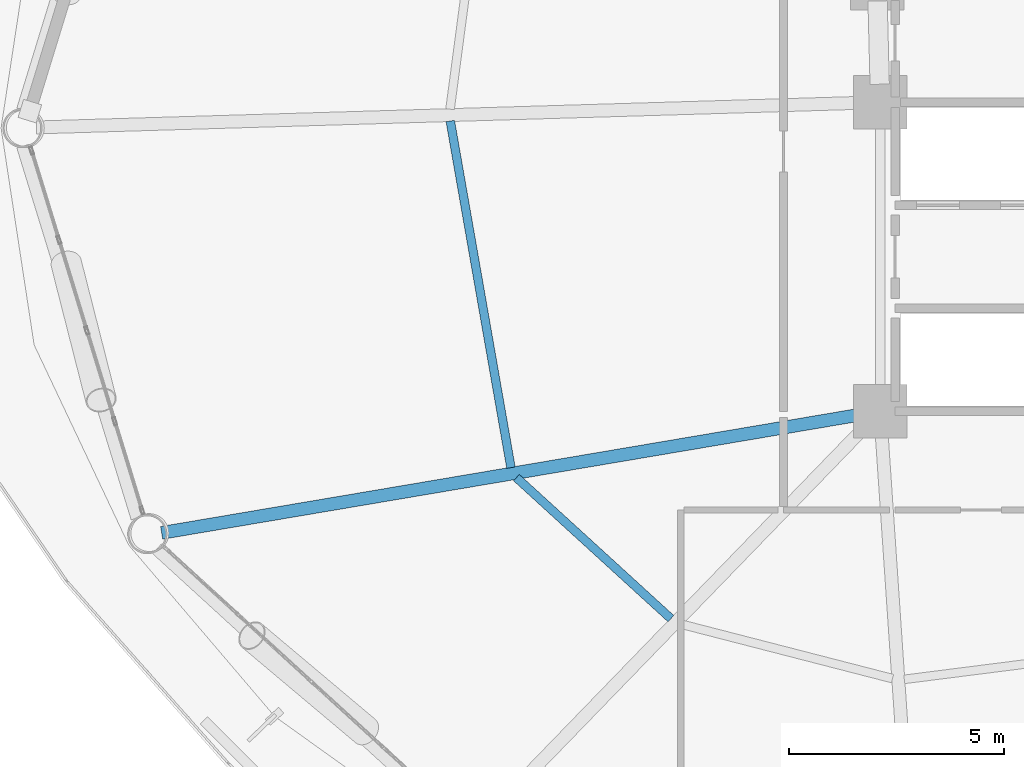
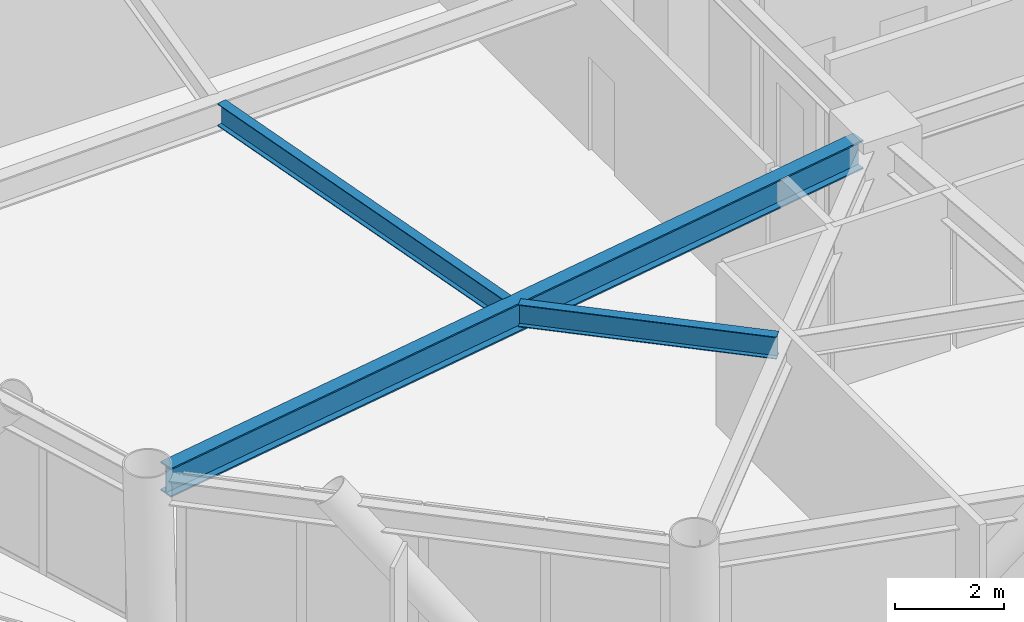
# One storey, part 6 of 24: 3 beams.
"""IFC4 building model written with IfcOpenShell, lengths in metres."""

from ifc_helpers import new_model, si_unit, direction, frame, origin, origin_2d, place, context, subcontext, project, spatial, i_section, extrude, material, material_profile, profile_set, type_object, element, save


model = new_model("IFC4")

# Units and contexts
model_context = context("Model", 3, precision=1e-05, world=origin(), true_north=direction((0.0, 1.0)))
body_context = subcontext(model_context, "Body", "Model", "MODEL_VIEW")
ifc_project = project(units=[si_unit("LENGTHUNIT", "METRE"), si_unit("AREAUNIT", "SQUARE_METRE"), si_unit("VOLUMEUNIT", "CUBIC_METRE"), si_unit("PLANEANGLEUNIT", "RADIAN"), si_unit("MASSUNIT", "GRAM", prefix="KILO")], contexts=[model_context])

# Site, building, storey
site_placement = place(None, origin())
site = spatial("IfcSite", under=ifc_project, at=site_placement, CompositionType="ELEMENT")
building_placement = place(site_placement, origin())
building = spatial("IfcBuilding", under=site, at=building_placement, Name="Varnakorn Sky Granary", CompositionType="ELEMENT")
storey_placement = place(building_placement, frame((0.0, 0.0, 43.199951171875)))
storey = spatial("IfcBuildingStorey", under=building, at=storey_placement, Name="L10", CompositionType="ELEMENT", Elevation=43.199951171875)

# Beams
ifc_material = material(Name="Steel S355JR", Category="steel")
ifc_material_profile_1 = material_profile(ifc_material, i_section(OverallWidth=0.300048828125, OverallDepth=0.64990234375, WebThickness=0.01611328125, FlangeThickness=0.031005859375, at=origin_2d()), Name="HE 650 B")
ifc_profile_set_1 = profile_set([ifc_material_profile_1], Name="Steel S355JR")
beam_type_1 = type_object("IfcBeamType", Name="BM-RAD-Z1", PredefinedType="BEAM", material=ifc_profile_set_1)
beam_1_placement = place(storey_placement, frame((-2.76416015625, -6.670166015625, 3.31494140625), z_axis=(-0.985975959051, -0.166887411668, 0.0), x_axis=(0.166887411668, -0.985975959051, 0.0)))
element("IfcBeam", 1, at=beam_1_placement, inside=storey, type_object=beam_type_1, Name="Radial Floor Girder RG08 L10", PredefinedType="BEAM", context=body_context, shape_type="SweptSolid", body=[
    extrude(i_section(OverallWidth=0.300048828125, OverallDepth=0.64990234375, WebThickness=0.01611328125, FlangeThickness=0.031005859375, at=origin_2d()), origin(), (0.0, 0.0, 1.0), 16.55859375),
])
ifc_material_profile_2 = material_profile(ifc_material, i_section(OverallWidth=0.199951171875, OverallDepth=0.5, WebThickness=0.01025390625, FlangeThickness=0.01611328125, at=origin_2d()), Name="IPE 500")
ifc_profile_set_2 = profile_set([ifc_material_profile_2], Name="Steel S355JR")
beam_type_2 = type_object("IfcBeamType", Name="BM-SEC-Z1", PredefinedType="BEAM", material=ifc_profile_set_2)
beam_2_placement = place(storey_placement, frame((-12.364990234375, 0.162353515625, 3.39013671875), z_axis=(0.172404167103, -0.985026295672, 0.0), x_axis=(0.985026295672, 0.172404167103, 0.0)))
element("IfcBeam", 2, at=beam_2_placement, inside=storey, type_object=beam_type_2, Name="Secondary Floor Chord Beam MSB07 L10", PredefinedType="BEAM", context=body_context, shape_type="SweptSolid", body=[
    extrude(i_section(OverallWidth=0.199951171875, OverallDepth=0.5, WebThickness=0.01025390625, FlangeThickness=0.01611328125, at=origin_2d()), origin(), (0.0, 0.0, 1.0), 8.19921875),
])
beam_3_placement = place(storey_placement, frame((-10.823974609375, -8.146240234375, 3.39013671875), z_axis=(0.738610212419, -0.674132742203, 0.0), x_axis=(0.674132742203, 0.738610212419, 0.0)))
element("IfcBeam", 3, at=beam_3_placement, inside=storey, type_object=beam_type_2, Name="Secondary Floor Chord Beam MSB08 L10", PredefinedType="BEAM", context=body_context, shape_type="SweptSolid", body=[
    extrude(i_section(OverallWidth=0.199951171875, OverallDepth=0.5, WebThickness=0.01025390625, FlangeThickness=0.01611328125, at=origin_2d()), origin(), (0.0, 0.0, 1.0), 4.873046875),
])

save(model, "model.ifc")
